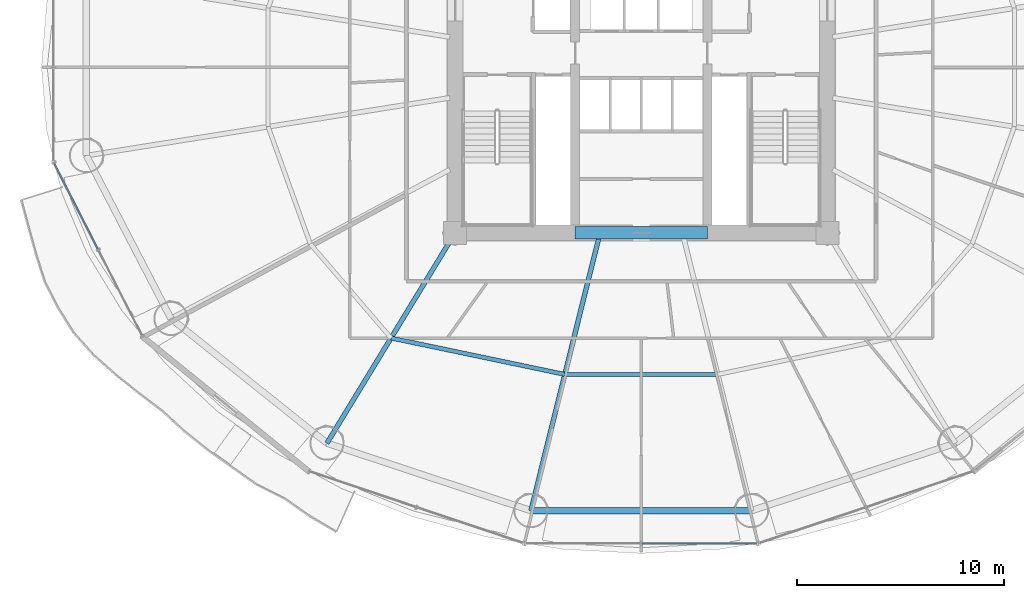
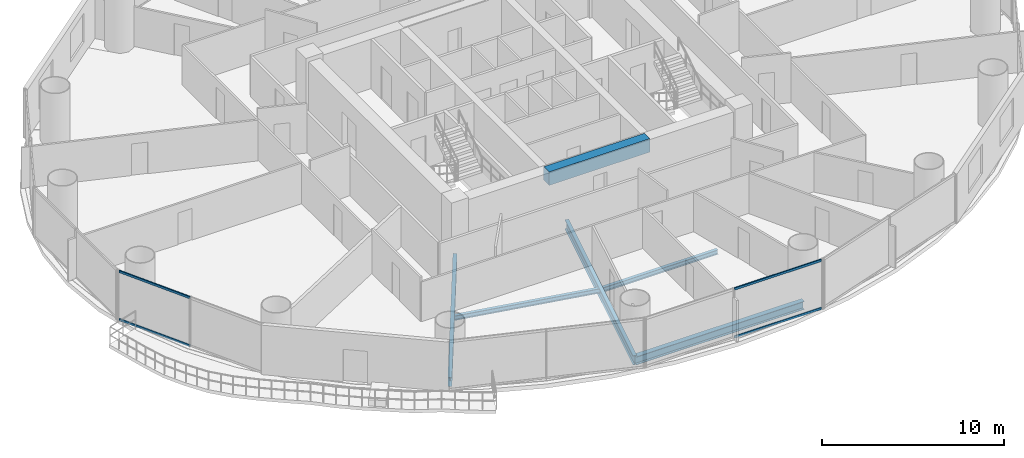
# One storey, part 6 of 30: 6 beams, 4 members, 2 elements without a shape of their own.
"""IFC4 building model written with IfcOpenShell, lengths in metres."""

from ifc_helpers import new_model, si_unit, direction, frame, origin, origin_2d, place, context, subcontext, project, spatial, rectangle, hollow_rectangle, i_section, extrude, source, transform, mapped, material, material_profile, profile_set, type_object, element, aggregate, save


model = new_model("IFC4")

# Units and contexts
model_context = context("Model", 3, precision=1e-05, world=origin(), true_north=direction((-0.2419218956, 0.970295726276)))
body_context = subcontext(model_context, "Body", "Model", "MODEL_VIEW")
ifc_project = project(units=[si_unit("LENGTHUNIT", "METRE"), si_unit("AREAUNIT", "SQUARE_METRE"), si_unit("VOLUMEUNIT", "CUBIC_METRE"), si_unit("PLANEANGLEUNIT", "RADIAN"), si_unit("MASSUNIT", "GRAM", prefix="KILO")], contexts=[model_context])

# Site, building, storey
site_placement = place(None, origin())
site = spatial("IfcSite", under=ifc_project, at=site_placement, CompositionType="ELEMENT")
building_placement = place(site_placement, origin())
building = spatial("IfcBuilding", under=site, at=building_placement, Name="Cobrevalo Terracotta Tower", CompositionType="ELEMENT")
storey_placement = place(building_placement, frame((0.0, 0.0, 60.0)))
storey = spatial("IfcBuildingStorey", under=building, at=storey_placement, Name="L15", CompositionType="ELEMENT", Elevation=60.0)

# Beams
ifc_material_1 = material(Name="Concrete C60", Category="concrete")
ifc_material_profile_1 = material_profile(ifc_material_1, rectangle(XDim=0.60009765625, YDim=0.89990234375, at=origin_2d()), Name="RC CB 600x900")
ifc_profile_set_1 = profile_set([ifc_material_profile_1], Name="Concrete C60")
beam_type_1 = type_object("IfcBeamType", Name="Structural Beam RC CB 600x900 (Concrete C60)", PredefinedType="BEAM", material=ifc_profile_set_1)
beam_1_placement = place(storey_placement, frame((34.800048828125, 18.800048828125, 2.8701171875), z_axis=(1.0, 0.0, 0.0), x_axis=(0.0, 1.0, 0.0)))
element("IfcBeam", 1, at=beam_1_placement, inside=storey, type_object=beam_type_1, Name="L15 core coupling beam 1", PredefinedType="BEAM", context=body_context, shape_type="SweptSolid", body=[
    extrude(rectangle(XDim=0.60009765625, YDim=0.89990234375, at=origin_2d()), origin(), (0.0, 0.0, 1.0), 6.39990234375),
])
ifc_material_2 = material(Name="Steel S355", Category="steel")
ifc_material_profile_2 = material_profile(ifc_material_2, i_section(OverallWidth=0.22998046875, OverallDepth=0.616943359375, WebThickness=0.01318359375, FlangeThickness=0.022216796875, at=origin_2d()), Name="W 610x140")
ifc_profile_set_2 = profile_set([ifc_material_profile_2], Name="Steel S355")
beam_type_2 = type_object("IfcBeamType", Name="Structural Beam W 610x140 (Steel S355)", PredefinedType="BEAM", material=ifc_profile_set_2)
beam_2_placement = place(storey_placement, frame((22.80517578125, 8.63232421875, -0.58837890625), z_axis=(0.520300780853, 0.853983077961, 0.0), x_axis=(-0.853983077961, 0.520300780853, 0.0)))
element("IfcBeam", 2, at=beam_2_placement, inside=storey, type_object=beam_type_2, Name="L15 radial floor girder 11", PredefinedType="BEAM", context=body_context, shape_type="SweptSolid", body=[
    extrude(i_section(OverallWidth=0.22998046875, OverallDepth=0.616943359375, WebThickness=0.01318359375, FlangeThickness=0.022216796875, at=origin_2d()), origin(), (0.0, 0.0, 1.0), 11.90625),
])
beam_3_placement = place(storey_placement, frame((32.664306640625, 5.369873046875, -0.58837890625), z_axis=(0.241600470374, 0.970375810042, 0.0), x_axis=(-0.970375810042, 0.241600470374, 0.0)))
element("IfcBeam", 3, at=beam_3_placement, inside=storey, type_object=beam_type_2, Name="L15 radial floor girder 12", PredefinedType="BEAM", context=body_context, shape_type="SweptSolid", body=[
    extrude(i_section(OverallWidth=0.22998046875, OverallDepth=0.616943359375, WebThickness=0.01318359375, FlangeThickness=0.022216796875, at=origin_2d()), origin(), (0.0, 0.0, 1.0), 13.5771484375),
])
ifc_material_profile_3 = material_profile(ifc_material_2, i_section(OverallWidth=0.2041015625, OverallDepth=0.305908203125, WebThickness=0.008544921875, FlangeThickness=0.0146484375, at=origin_2d()), Name="W 310x67")
ifc_profile_set_3 = profile_set([ifc_material_profile_3], Name="Steel S355")
beam_type_3 = type_object("IfcBeamType", Name="Structural Joist W 310x67 (Steel S355)", PredefinedType="JOIST", material=ifc_profile_set_3)
beam_4_placement = place(storey_placement, frame((25.902587890625, 13.71630859375, -0.43310546875), z_axis=(0.978784523904, -0.204892302848, 0.0), x_axis=(0.204892302848, 0.978784523904, 0.0)))
element("IfcBeam", 4, at=beam_4_placement, inside=storey, type_object=beam_type_3, Name="L15 circumferential secondary floor joist 11", PredefinedType="JOIST", context=body_context, shape_type="SweptSolid", body=[
    extrude(i_section(OverallWidth=0.2041015625, OverallDepth=0.305908203125, WebThickness=0.008544921875, FlangeThickness=0.0146484375, at=origin_2d()), origin(), (0.0, 0.0, 1.0), 8.583984375),
])
beam_5_placement = place(storey_placement, frame((34.304443359375, 11.95751953125, -0.43310546875), z_axis=(1.0, 0.0, 0.0), x_axis=(0.0, 1.0, 0.0)))
element("IfcBeam", 5, at=beam_5_placement, inside=storey, type_object=beam_type_3, Name="L15 circumferential secondary floor joist 12", PredefinedType="JOIST", context=body_context, shape_type="SweptSolid", body=[
    extrude(i_section(OverallWidth=0.2041015625, OverallDepth=0.305908203125, WebThickness=0.008544921875, FlangeThickness=0.0146484375, at=origin_2d()), origin(), (0.0, 0.0, 1.0), 7.39111328125),
])
ifc_material_profile_4 = material_profile(ifc_material_2, i_section(OverallWidth=0.31201171875, OverallDepth=0.54296875, WebThickness=0.0126953125, FlangeThickness=0.020263671875, at=origin_2d()), Name="W 530x150")
ifc_profile_set_4 = profile_set([ifc_material_profile_4], Name="Steel S355")
beam_type_4 = type_object("IfcBeamType", Name="Structural Spandrel W 530x150 (Steel S355)", PredefinedType="SPANDREL", material=ifc_profile_set_4)
beam_6_placement = place(storey_placement, frame((32.664306640625, 5.369873046875, -0.551513671875), z_axis=(1.0, 0.0, 0.0), x_axis=(0.0, 1.0, 0.0)))
element("IfcBeam", 6, at=beam_6_placement, inside=storey, type_object=beam_type_4, Name="L15 perimeter ring spandrel 12", PredefinedType="SPANDREL", context=body_context, shape_type="SweptSolid", body=[
    extrude(i_section(OverallWidth=0.31201171875, OverallDepth=0.54296875, WebThickness=0.0126953125, FlangeThickness=0.020263671875, at=origin_2d()), origin(), (0.0, 0.0, 1.0), 10.67138671875),
])

# Curtain wall, members
ifc_material_3 = material(Name="Anodized aluminium", Category="aluminium")
curtain_wall_type = type_object("IfcCurtainWallType", Name="Lower-tower unitised acoustic low-E curtain wall CW-U1", PredefinedType="NOTDEFINED", material=ifc_material_3)
curtain_wall_1_placement = place(storey_placement, origin())
curtain_wall_1 = element("IfcCurtainWall", 7, at=curtain_wall_1_placement, inside=storey, type_object=curtain_wall_type, Name="L15 curtain wall CW-L15-S12", PredefinedType="NOTDEFINED")
ifc_material_profile_5 = material_profile(ifc_material_3, hollow_rectangle(XDim=0.074951171875, YDim=0.14990234375, WallThickness=0.00439453125, at=origin_2d()), Name="CWT 75x150")
ifc_profile_set_5 = profile_set([ifc_material_profile_5], Name="Anodized aluminium")
member_type = type_object("IfcMemberType", Name="Tower unitised aluminium transom 75x150", PredefinedType="USERDEFINED", material=ifc_profile_set_5)
shared_shape_1 = source(origin(), body_context, "Body", "SweptSolid", [
    extrude(hollow_rectangle(XDim=0.074951171875, YDim=0.14990234375, WallThickness=0.00439453125, at=origin_2d()), origin(), (0.0, 0.0, 1.0), 5.53173828125),
])
member_1_placement = place(storey_placement, frame((38.0400390625, 3.781005859375, 0.050048828125), z_axis=(1.0, 0.0, 0.0), x_axis=(0.0, 1.0, 0.0)))
member_1 = element("IfcMember", 8, at=member_1_placement, type_object=member_type, Name="CW-L15-S12 transom B02-T1", ObjectType="TRANSOM", PredefinedType="USERDEFINED", context=body_context, shape_type="MappedRepresentation", body=[
    mapped(shared_shape_1, transform((0.0, 0.0, 0.0), scale=1.0)),
])
member_2_placement = place(storey_placement, frame((38.0400390625, 3.781005859375, 3.27001953125), z_axis=(1.0, 0.0, 0.0), x_axis=(0.0, 1.0, 0.0)))
member_2 = element("IfcMember", 9, at=member_2_placement, type_object=member_type, Name="CW-L15-S12 transom B02-T2", ObjectType="TRANSOM", PredefinedType="USERDEFINED", context=body_context, shape_type="MappedRepresentation", body=[
    mapped(shared_shape_1, transform((0.0, 0.0, 0.0), scale=1.0)),
])
aggregate(curtain_wall_1, [member_1, member_2])

curtain_wall_2_placement = place(storey_placement, origin())
curtain_wall_2 = element("IfcCurtainWall", 10, at=curtain_wall_2_placement, inside=storey, type_object=curtain_wall_type, Name="L15 curtain wall CW-L15-S09", PredefinedType="NOTDEFINED")
shared_shape_2 = source(origin(), body_context, "Body", "SweptSolid", [
    extrude(hollow_rectangle(XDim=0.074951171875, YDim=0.14990234375, WallThickness=0.00439453125, at=origin_2d()), origin(), (0.0, 0.0, 1.0), 4.630859375),
])
member_3_placement = place(storey_placement, frame((9.623046875, 22.14990234375, 0.050048828125), z_axis=(0.455229952508, -0.890373904795, 0.0), x_axis=(0.890373904795, 0.455229952508, 0.0)))
member_3 = element("IfcMember", 11, at=member_3_placement, type_object=member_type, Name="CW-L15-S09 transom B01-T1", ObjectType="TRANSOM", PredefinedType="USERDEFINED", context=body_context, shape_type="MappedRepresentation", body=[
    mapped(shared_shape_2, transform((0.0, 0.0, 0.0), scale=1.0)),
])
member_4_placement = place(storey_placement, frame((9.623046875, 22.14990234375, 3.27001953125), z_axis=(0.455229952508, -0.890373904795, 0.0), x_axis=(0.890373904795, 0.455229952508, 0.0)))
member_4 = element("IfcMember", 12, at=member_4_placement, type_object=member_type, Name="CW-L15-S09 transom B01-T2", ObjectType="TRANSOM", PredefinedType="USERDEFINED", context=body_context, shape_type="MappedRepresentation", body=[
    mapped(shared_shape_2, transform((0.0, 0.0, 0.0), scale=1.0)),
])
aggregate(curtain_wall_2, [member_3, member_4])

save(model, "model.ifc")
